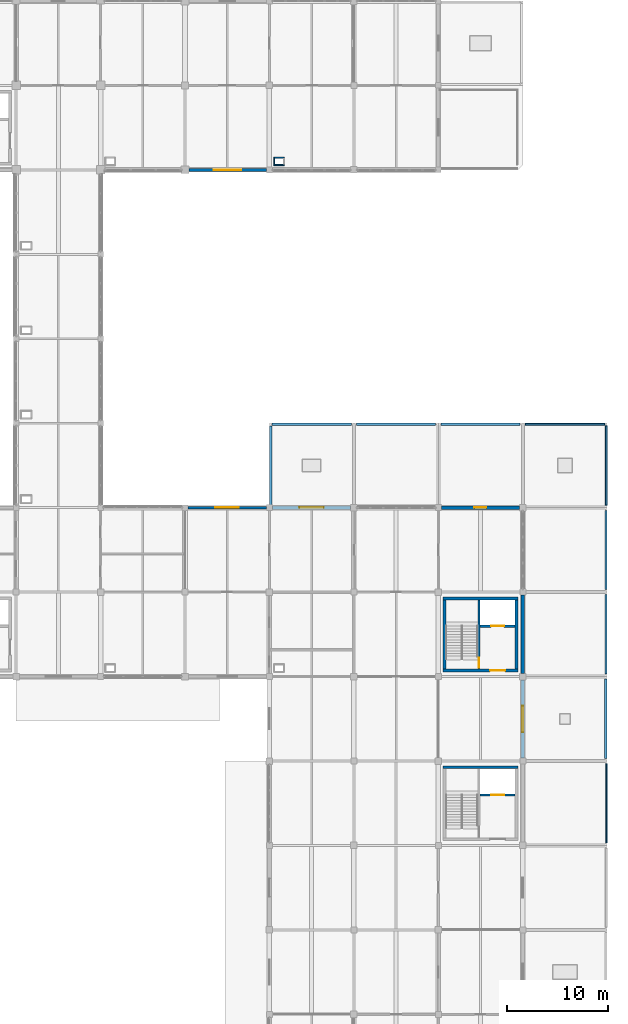
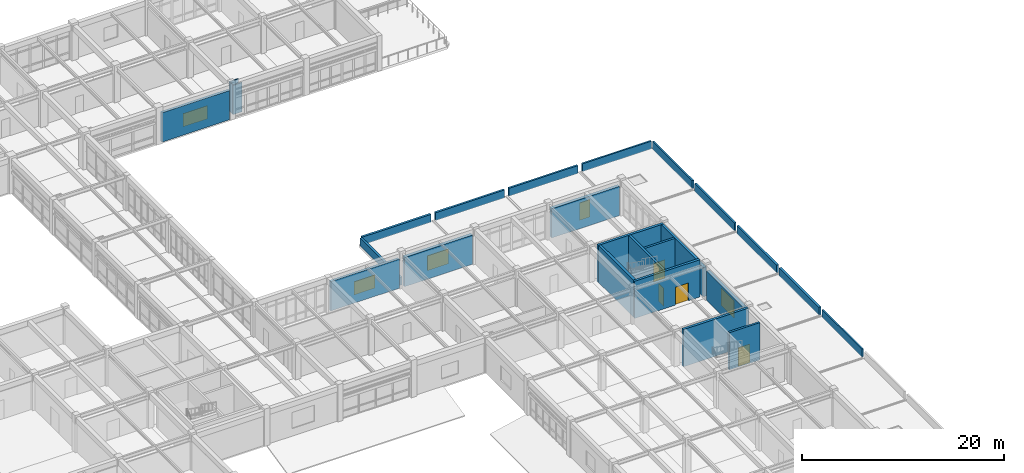
# One storey, part 72 of 78: 27 walls, 5 windows, 4 doors, 9 openings.
"""IFC4 building model written with IfcOpenShell, lengths in metres."""

from ifc_helpers import new_model, si_unit, direction, frame, frame_2d, origin, place, context, subcontext, project, spatial, rectangle, extrude, material, layer, layer_set, type_object, element, fill, save


model = new_model("IFC4")

# Units and contexts
model_context = context("Model", 3, precision=1e-05, world=origin(), true_north=direction((0.0, 1.0)))
body_context = subcontext(model_context, "Body", "Model", "MODEL_VIEW")
ifc_project = project(units=[si_unit("LENGTHUNIT", "METRE"), si_unit("AREAUNIT", "SQUARE_METRE"), si_unit("VOLUMEUNIT", "CUBIC_METRE"), si_unit("PLANEANGLEUNIT", "RADIAN"), si_unit("MASSUNIT", "GRAM", prefix="KILO")], contexts=[model_context])

# Site, building, storey
site_placement = place(None, origin())
site = spatial("IfcSite", under=ifc_project, at=site_placement, CompositionType="ELEMENT")
building_placement = place(site_placement, origin())
building = spatial("IfcBuilding", under=site, at=building_placement, Name="Porcellanite Civic Hall", CompositionType="ELEMENT")
storey_placement = place(building_placement, frame((0.0, 0.0, 10.260009765625)))
storey = spatial("IfcBuildingStorey", under=building, at=storey_placement, Name="L02", CompositionType="ELEMENT", Elevation=10.260009765625)

# Wall, opening, door
ifc_material_1 = material(Name="Concrete N40 (40 MPa)", Category="concrete")
ifc_layer_1 = layer(ifc_material_1, 0.239990234375)
ifc_layer_set_1 = layer_set([ifc_layer_1], Name="Concrete N40 (40 MPa)")
wall_type_1 = type_object("IfcWallType", Name="CW-SH240", PredefinedType="SHEAR", material=ifc_layer_set_1)
wall_1_placement = place(storey_placement, frame((163.760009765625, 38.6201171875, 0.0), z_axis=(0.0, 0.0, 1.0), x_axis=(1.0, 0.0, 0.0)))
wall_1 = element("IfcWall", 1, at=wall_1_placement, inside=storey, type_object=wall_type_1, Name="Lift shaft wall C7 L02", PredefinedType="SHEAR", context=body_context, shape_type="SweptSolid", body=[
    extrude(rectangle(XDim=3.47998046875, YDim=0.239990234375, at=frame_2d((1.739990234375, 0.0))), origin(), (0.0, 0.0, 1.0), 4.5),
])
opening_1_placement = place(wall_1_placement, frame((1.090087890625, 0.0, 0.0)))
opening_1 = element("IfcOpeningElement", 2, at=opening_1_placement, cuts=wall_1, Name="Opening LD-07", PredefinedType="OPENING", context=body_context, shape_type="SweptSolid", body=[
    extrude(rectangle(XDim=1.300048828125, YDim=2.25, at=frame_2d((0.64990234375, 1.125))), frame((0.0, 0.1201171875, 0.0), z_axis=(0.0, -1.0, 0.0), x_axis=(1.0, 0.0, 0.0)), (0.0, 0.0, 1.0), 0.239990234375),
])
ifc_material_2 = material(Name="Brushed stainless steel 316", Category="steel")
door_type_1 = type_object("IfcDoorType", Name="DR-LD130", OperationType="DOUBLE_DOOR_SLIDING", PredefinedType="DOOR", material=ifc_material_2)
door_1_placement = place(opening_1_placement, origin())
door_1 = element("IfcDoor", 3, at=door_1_placement, inside=storey, type_object=door_type_1, Name="Lift landing sliding door LD-07 L02", OperationType="DOUBLE_DOOR_SLIDING", OverallHeight=2.25, OverallWidth=1.300048828125, PredefinedType="DOOR", context=body_context, shape_type="SweptSolid", body=[
    extrude(rectangle(XDim=1.300048828125, YDim=2.25, at=frame_2d((0.64990234375, 1.125))), frame((0.0, 0.02490234375, 0.0), z_axis=(0.0, -1.0, 0.0), x_axis=(1.0, 0.0, 0.0)), (0.0, 0.0, 1.0), 0.050048828125),
])
fill(opening_1, door_1)

wall_2_placement = place(storey_placement, frame((163.639892578125, 51.159912109375, 0.0), z_axis=(0.0, 0.0, 1.0), x_axis=(0.0, 1.0, 0.0)))
wall_2 = element("IfcWall", 4, at=wall_2_placement, inside=storey, type_object=wall_type_1, Name="Core divider C8 L02", PredefinedType="SHEAR", context=body_context, shape_type="SweptSolid", body=[
    extrude(rectangle(XDim=6.880126953125, YDim=0.239990234375, at=frame_2d((3.43994140625, 0.0))), origin(), (0.0, 0.0, 1.0), 4.5),
])
opening_2_placement = place(wall_2_placement, frame((0.1201171875, 0.0, 0.0)))
opening_2 = element("IfcOpeningElement", 5, at=opening_2_placement, cuts=wall_2, Name="Opening FD-C8-L02-ST", PredefinedType="OPENING", context=body_context, shape_type="SweptSolid", body=[
    extrude(rectangle(XDim=1.0, YDim=2.14990234375, at=frame_2d((0.5, 1.074951171875))), frame((0.0, 0.1201171875, 0.0), z_axis=(0.0, -1.0, 0.0), x_axis=(1.0, 0.0, 0.0)), (0.0, 0.0, 1.0), 0.239990234375),
])
ifc_material_3 = material(Name="Fire-rated solid-core hardwood timber", Category="wood")
door_type_2 = type_object("IfcDoorType", Name="DR-FD100", OperationType="NOTDEFINED", PredefinedType="DOOR", material=ifc_material_3)
door_2_placement = place(opening_2_placement, origin())
door_2 = element("IfcDoor", 6, at=door_2_placement, inside=storey, type_object=door_type_2, Name="Fire stair door FD-C8-L02-ST", OperationType="SINGLE_SWING_LEFT", OverallHeight=2.14990234375, OverallWidth=1.0, PredefinedType="DOOR", context=body_context, shape_type="SweptSolid", body=[
    extrude(rectangle(XDim=1.0, YDim=2.14990234375, at=frame_2d((0.5, 1.074951171875))), frame((0.0, 0.02490234375, 0.0), z_axis=(0.0, -1.0, 0.0), x_axis=(1.0, 0.0, 0.0)), (0.0, 0.0, 1.0), 0.050048828125),
])
fill(opening_2, door_2)

wall_3_placement = place(storey_placement, frame((163.760009765625, 55.419921875, 0.0), z_axis=(0.0, 0.0, 1.0), x_axis=(1.0, 0.0, 0.0)))
wall_3 = element("IfcWall", 7, at=wall_3_placement, inside=storey, type_object=wall_type_1, Name="Lift shaft wall C8 L02", PredefinedType="SHEAR", context=body_context, shape_type="SweptSolid", body=[
    extrude(rectangle(XDim=3.47998046875, YDim=0.239990234375, at=frame_2d((1.739990234375, 0.0))), origin(), (0.0, 0.0, 1.0), 4.5),
])
opening_3_placement = place(wall_3_placement, frame((1.090087890625, 0.0, 0.0)))
opening_3 = element("IfcOpeningElement", 8, at=opening_3_placement, cuts=wall_3, Name="Opening LD-08", PredefinedType="OPENING", context=body_context, shape_type="SweptSolid", body=[
    extrude(rectangle(XDim=1.300048828125, YDim=2.25, at=frame_2d((0.64990234375, 1.125))), frame((0.0, 0.1201171875, 0.0), z_axis=(0.0, -1.0, 0.0), x_axis=(1.0, 0.0, 0.0)), (0.0, 0.0, 1.0), 0.239990234375),
])
door_3_placement = place(opening_3_placement, origin())
door_3 = element("IfcDoor", 9, at=door_3_placement, inside=storey, type_object=door_type_1, Name="Lift landing sliding door LD-08 L02", OperationType="DOUBLE_DOOR_SLIDING", OverallHeight=2.25, OverallWidth=1.300048828125, PredefinedType="DOOR", context=body_context, shape_type="SweptSolid", body=[
    extrude(rectangle(XDim=1.300048828125, YDim=2.25, at=frame_2d((0.64990234375, 1.125))), frame((0.0, 0.02490234375, 0.0), z_axis=(0.0, -1.0, 0.0), x_axis=(1.0, 0.0, 0.0)), (0.0, 0.0, 1.0), 0.050048828125),
])
fill(opening_3, door_3)

# Wall
ifc_material_4 = material(Name="Concrete N40 (40 MPa)", Category="concrete")
ifc_layer_2 = layer(ifc_material_4, 0.280029296875)
ifc_layer_set_2 = layer_set([ifc_layer_2], Name="Concrete N40 (40 MPa)")
wall_type_2 = type_object("IfcWallType", Name="CW-SH280", PredefinedType="SHEAR", material=ifc_layer_set_2)
wall_4_placement = place(storey_placement, frame((160.080078125, 41.3798828125, 0.0), z_axis=(0.0, 0.0, 1.0), x_axis=(1.0, 0.0, 0.0)))
element("IfcWall", 10, at=wall_4_placement, inside=storey, type_object=wall_type_2, Name="Core wall C7 L02 N", PredefinedType="SHEAR", context=body_context, shape_type="SweptSolid", body=[
    extrude(rectangle(XDim=7.43994140625, YDim=0.280029296875, at=frame_2d((3.719970703125, 0.0))), origin(), (0.0, 0.0, 1.0), 4.5),
])

# Wall, opening, door
wall_5_placement = place(storey_placement, frame((167.52001953125, 51.02001953125, 0.0), z_axis=(0.0, 0.0, 1.0), x_axis=(-1.0, 0.0, 0.0)))
wall_5 = element("IfcWall", 11, at=wall_5_placement, inside=storey, type_object=wall_type_2, Name="Core wall C8 L02 S", PredefinedType="SHEAR", context=body_context, shape_type="SweptSolid", body=[
    extrude(rectangle(XDim=7.43994140625, YDim=0.280029296875, at=frame_2d((3.719970703125, 0.0))), origin(), (0.0, 0.0, 1.0), 4.5),
])
opening_4_placement = place(wall_5_placement, frame((1.280029296875, 0.0, 0.0)))
opening_4 = element("IfcOpeningElement", 12, at=opening_4_placement, cuts=wall_5, Name="Opening FD-C8-L02-LB", PredefinedType="OPENING", context=body_context, shape_type="SweptSolid", body=[
    extrude(rectangle(XDim=1.5, YDim=2.14990234375, at=frame_2d((0.75, 1.074951171875))), frame((0.0, 0.14013671875, 0.0), z_axis=(0.0, -1.0, 0.0), x_axis=(1.0, 0.0, 0.0)), (0.0, 0.0, 1.0), 0.280029296875),
])
ifc_material_5 = material(Name="Fire-rated steel and Georgian wired glass", Category="steel")
door_type_3 = type_object("IfcDoorType", Name="DR-FD150", OperationType="DOUBLE_DOOR_SINGLE_SWING", PredefinedType="DOOR", material=ifc_material_5)
door_4_placement = place(opening_4_placement, origin())
door_4 = element("IfcDoor", 13, at=door_4_placement, inside=storey, type_object=door_type_3, Name="Fire lobby double door FD-C8-L02-LB", OperationType="DOUBLE_DOOR_SINGLE_SWING", OverallHeight=2.14990234375, OverallWidth=1.5, PredefinedType="DOOR", context=body_context, shape_type="SweptSolid", body=[
    extrude(rectangle(XDim=1.5, YDim=2.14990234375, at=frame_2d((0.75, 1.074951171875))), frame((0.0, 0.02490234375, 0.0), z_axis=(0.0, -1.0, 0.0), x_axis=(1.0, 0.0, 0.0)), (0.0, 0.0, 1.0), 0.050048828125),
])
fill(opening_4, door_4)

# Walls
wall_6_placement = place(storey_placement, frame((160.219970703125, 51.159912109375, 0.0), z_axis=(0.0, 0.0, 1.0), x_axis=(0.0, 1.0, 0.0)))
element("IfcWall", 14, at=wall_6_placement, inside=storey, type_object=wall_type_2, Name="Core wall C8 L02 W", PredefinedType="SHEAR", context=body_context, shape_type="SweptSolid", body=[
    extrude(rectangle(XDim=6.880126953125, YDim=0.280029296875, at=frame_2d((3.43994140625, 0.0))), origin(), (0.0, 0.0, 1.0), 4.5),
])
wall_7_placement = place(storey_placement, frame((160.080078125, 58.179931640625, 0.0), z_axis=(0.0, 0.0, 1.0), x_axis=(1.0, 0.0, 0.0)))
element("IfcWall", 15, at=wall_7_placement, inside=storey, type_object=wall_type_2, Name="Core wall C8 L02 N", PredefinedType="SHEAR", context=body_context, shape_type="SweptSolid", body=[
    extrude(rectangle(XDim=7.43994140625, YDim=0.280029296875, at=frame_2d((3.719970703125, 0.0))), origin(), (0.0, 0.0, 1.0), 4.5),
])
wall_8_placement = place(storey_placement, frame((167.3798828125, 58.0400390625, 0.0), z_axis=(0.0, 0.0, 1.0), x_axis=(0.0, -1.0, 0.0)))
element("IfcWall", 16, at=wall_8_placement, inside=storey, type_object=wall_type_2, Name="Core wall C8 L02 E", PredefinedType="SHEAR", context=body_context, shape_type="SweptSolid", body=[
    extrude(rectangle(XDim=6.880126953125, YDim=0.280029296875, at=frame_2d((3.43994140625, 0.0))), origin(), (0.0, 0.0, 1.0), 4.5),
])

# Wall, opening, window
ifc_material_6 = material(Name="Precast concrete N40 (40 MPa)", Category="concrete")
ifc_layer_3 = layer(ifc_material_6, 0.300048828125)
ifc_layer_set_3 = layer_set([ifc_layer_3], Name="Precast concrete N40 (40 MPa)")
wall_type_3 = type_object("IfcWallType", Name="EW-ADM300", PredefinedType="SOLIDWALL", material=ifc_layer_set_3)
wall_9_placement = place(storey_placement, frame((142.4990234375, 100.800048828125, 0.0), z_axis=(0.0, 0.0, 1.0), x_axis=(-1.0, 0.0, 0.0)))
wall_9 = element("IfcWall", 17, at=wall_9_placement, inside=storey, type_object=wall_type_3, Name="Exterior wall L02 S 17-13", PredefinedType="SOLIDWALL", context=body_context, shape_type="SweptSolid", body=[
    extrude(rectangle(XDim=7.72314453125, YDim=0.300048828125, at=frame_2d((3.861572265625, 0.0))), origin(), (0.0, 0.0, 1.0), 3.5400390625),
])
opening_5_placement = place(wall_9_placement, frame((2.486083984375, 0.0, 0.89990234375)))
opening_5 = element("IfcOpeningElement", 18, at=opening_5_placement, cuts=wall_9, Name="Opening W37", PredefinedType="OPENING", context=body_context, shape_type="SweptSolid", body=[
    extrude(rectangle(XDim=2.75, YDim=1.60009765625, at=frame_2d((1.375, 0.800048828125))), frame((0.0, 0.14990234375, 0.0), z_axis=(0.0, -1.0, 0.0), x_axis=(1.0, 0.0, 0.0)), (0.0, 0.0, 1.0), 0.300048828125),
])
ifc_material_7 = material(Name="Cyclone laminated low-E glazing in anodised aluminium frame", Category="aluminium")
window_type_1 = type_object("IfcWindowType", Name="WN-37", PartitioningType="TRIPLE_PANEL_VERTICAL", PredefinedType="WINDOW", material=ifc_material_7)
window_1_placement = place(opening_5_placement, origin())
window_1 = element("IfcWindow", 19, at=window_1_placement, inside=storey, type_object=window_type_1, Name="Window W37 L02 S 17-13", OverallHeight=1.60009765625, OverallWidth=2.75, PartitioningType="SINGLE_PANEL", PredefinedType="WINDOW", context=body_context, shape_type="SweptSolid", body=[
    extrude(rectangle(XDim=2.75, YDim=1.60009765625, at=frame_2d((1.375, 0.800048828125))), frame((0.0, 0.030029296875, 0.0), z_axis=(0.0, -1.0, 0.0), x_axis=(1.0, 0.0, 0.0)), (0.0, 0.0, 1.0), 0.06005859375),
])
fill(opening_5, window_1)

ifc_material_8 = material(Name="Precast concrete N40 (40 MPa)", Category="concrete")
ifc_layer_4 = layer(ifc_material_8, 0.280029296875)
ifc_layer_set_4 = layer_set([ifc_layer_4], Name="Precast concrete N40 (40 MPa)")
wall_type_4 = type_object("IfcWallType", Name="EW-CLO280", PredefinedType="SOLIDWALL", material=ifc_layer_set_4)
wall_10_placement = place(storey_placement, frame((134.676025390625, 67.199951171875, 0.0), z_axis=(0.0, 0.0, 1.0), x_axis=(1.0, 0.0, 0.0)))
wall_10 = element("IfcWall", 20, at=wall_10_placement, inside=storey, type_object=wall_type_4, Name="Exterior wall L02 N 17-8", PredefinedType="SOLIDWALL", context=body_context, shape_type="SweptSolid", body=[
    extrude(rectangle(XDim=7.822998046875, YDim=0.280029296875, at=frame_2d((3.91162109375, 0.0))), origin(), (0.0, 0.0, 1.0), 3.5400390625),
])
opening_6_placement = place(wall_10_placement, frame((2.737060546875, 0.0, 0.89990234375)))
opening_6 = element("IfcOpeningElement", 21, at=opening_6_placement, cuts=wall_10, Name="Opening W36", PredefinedType="OPENING", context=body_context, shape_type="SweptSolid", body=[
    extrude(rectangle(XDim=2.35009765625, YDim=1.60009765625, at=frame_2d((1.175048828125, 0.800048828125))), frame((0.0, 0.14013671875, 0.0), z_axis=(0.0, -1.0, 0.0), x_axis=(1.0, 0.0, 0.0)), (0.0, 0.0, 1.0), 0.280029296875),
])
ifc_material_9 = material(Name="Cyclone laminated low-E glazing in anodised aluminium frame", Category="aluminium")
window_type_2 = type_object("IfcWindowType", Name="WN-36", PartitioningType="DOUBLE_PANEL_VERTICAL", PredefinedType="WINDOW", material=ifc_material_9)
window_2_placement = place(opening_6_placement, origin())
window_2 = element("IfcWindow", 22, at=window_2_placement, inside=storey, type_object=window_type_2, Name="Window W36 L02 N 17-8", OverallHeight=1.60009765625, OverallWidth=2.35009765625, PartitioningType="SINGLE_PANEL", PredefinedType="WINDOW", context=body_context, shape_type="SweptSolid", body=[
    extrude(rectangle(XDim=2.35009765625, YDim=1.60009765625, at=frame_2d((1.175048828125, 0.800048828125))), frame((0.0, 0.030029296875, 0.0), z_axis=(0.0, -1.0, 0.0), x_axis=(1.0, 0.0, 0.0)), (0.0, 0.0, 1.0), 0.06005859375),
])
fill(opening_6, window_2)

ifc_material_10 = material(Name="Precast concrete N40 (40 MPa)", Category="concrete")
ifc_layer_5 = layer(ifc_material_10, 0.360107421875)
ifc_layer_set_5 = layer_set([ifc_layer_5], Name="Precast concrete N40 (40 MPa)")
wall_type_5 = type_object("IfcWallType", Name="EW-LIB360", PredefinedType="SOLIDWALL", material=ifc_layer_set_5)
wall_11_placement = place(storey_placement, frame((143.10107421875, 67.199951171875, 0.0), z_axis=(0.0, 0.0, 1.0), x_axis=(1.0, 0.0, 0.0)))
wall_11 = element("IfcWall", 23, at=wall_11_placement, inside=storey, type_object=wall_type_5, Name="Exterior wall L02 N 18-8", PredefinedType="SOLIDWALL", context=body_context, shape_type="SweptSolid", body=[
    extrude(rectangle(XDim=7.77294921875, YDim=0.360107421875, at=frame_2d((3.886474609375, 0.0))), origin(), (0.0, 0.0, 1.0), 3.5400390625),
])
opening_7_placement = place(wall_11_placement, frame((2.68603515625, 0.0, 0.89990234375)))
opening_7 = element("IfcOpeningElement", 24, at=opening_7_placement, cuts=wall_11, Name="Opening W03", PredefinedType="OPENING", context=body_context, shape_type="SweptSolid", body=[
    extrude(rectangle(XDim=2.39990234375, YDim=1.800048828125, at=frame_2d((1.199951171875, 0.89990234375))), frame((0.0, 0.18017578125, 0.0), z_axis=(0.0, -1.0, 0.0), x_axis=(1.0, 0.0, 0.0)), (0.0, 0.0, 1.0), 0.360107421875),
])
ifc_material_11 = material(Name="Cyclone laminated low-E glazing in anodised aluminium frame", Category="aluminium")
window_type_3 = type_object("IfcWindowType", Name="WN-03", PartitioningType="TRIPLE_PANEL_VERTICAL", PredefinedType="WINDOW", material=ifc_material_11)
window_3_placement = place(opening_7_placement, origin())
window_3 = element("IfcWindow", 25, at=window_3_placement, inside=storey, type_object=window_type_3, Name="Window W03 L02 N 18-8", OverallHeight=1.800048828125, OverallWidth=2.39990234375, PartitioningType="SINGLE_PANEL", PredefinedType="WINDOW", context=body_context, shape_type="SweptSolid", body=[
    extrude(rectangle(XDim=2.39990234375, YDim=1.800048828125, at=frame_2d((1.199951171875, 0.89990234375))), frame((0.0, 0.030029296875, 0.0), z_axis=(0.0, -1.0, 0.0), x_axis=(1.0, 0.0, 0.0)), (0.0, 0.0, 1.0), 0.06005859375),
])
fill(opening_7, window_3)

wall_12_placement = place(storey_placement, frame((168.0, 50.073974609375, 0.0), z_axis=(0.0, 0.0, 1.0), x_axis=(0.0, -1.0, 0.0)))
wall_12 = element("IfcWall", 26, at=wall_12_placement, inside=storey, type_object=wall_type_5, Name="Exterior wall L02 E 20-6", PredefinedType="SOLIDWALL", context=body_context, shape_type="SweptSolid", body=[
    extrude(rectangle(XDim=7.77294921875, YDim=0.360107421875, at=frame_2d((3.886474609375, 0.0))), origin(), (0.0, 0.0, 1.0), 3.5400390625),
])
opening_8_placement = place(wall_12_placement, frame((2.5869140625, 0.0, 0.89990234375)))
opening_8 = element("IfcOpeningElement", 27, at=opening_8_placement, cuts=wall_12, Name="Opening W07", PredefinedType="OPENING", context=body_context, shape_type="SweptSolid", body=[
    extrude(rectangle(XDim=2.60009765625, YDim=2.10009765625, at=frame_2d((1.300048828125, 1.050048828125))), frame((0.0, 0.18017578125, 0.0), z_axis=(0.0, -1.0, 0.0), x_axis=(1.0, 0.0, 0.0)), (0.0, 0.0, 1.0), 0.360107421875),
])
ifc_material_12 = material(Name="Cyclone laminated low-E glazing in anodised aluminium frame", Category="aluminium")
window_type_4 = type_object("IfcWindowType", Name="WN-07", PartitioningType="TRIPLE_PANEL_VERTICAL", PredefinedType="WINDOW", material=ifc_material_12)
window_4_placement = place(opening_8_placement, origin())
window_4 = element("IfcWindow", 28, at=window_4_placement, inside=storey, type_object=window_type_4, Name="Window W07 L02 E 20-6", OverallHeight=2.10009765625, OverallWidth=2.60009765625, PartitioningType="SINGLE_PANEL", PredefinedType="WINDOW", context=body_context, shape_type="SweptSolid", body=[
    extrude(rectangle(XDim=2.60009765625, YDim=2.10009765625, at=frame_2d((1.300048828125, 1.050048828125))), frame((0.0, 0.030029296875, 0.0), z_axis=(0.0, -1.0, 0.0), x_axis=(1.0, 0.0, 0.0)), (0.0, 0.0, 1.0), 0.06005859375),
])
fill(opening_8, window_4)

# Wall
wall_13_placement = place(storey_placement, frame((168.0, 58.4990234375, 0.0), z_axis=(0.0, 0.0, 1.0), x_axis=(0.0, -1.0, 0.0)))
element("IfcWall", 29, at=wall_13_placement, inside=storey, type_object=wall_type_5, Name="Exterior wall L02 E 20-7", PredefinedType="SOLIDWALL", context=body_context, shape_type="SweptSolid", body=[
    extrude(rectangle(XDim=7.77294921875, YDim=0.360107421875, at=frame_2d((3.886474609375, 0.0))), origin(), (0.0, 0.0, 1.0), 3.5400390625),
])

# Wall, opening, window
wall_14_placement = place(storey_placement, frame((159.90087890625, 67.199951171875, 0.0), z_axis=(0.0, 0.0, 1.0), x_axis=(1.0, 0.0, 0.0)))
wall_14 = element("IfcWall", 30, at=wall_14_placement, inside=storey, type_object=wall_type_5, Name="Exterior wall L02 N 20-8", PredefinedType="SOLIDWALL", context=body_context, shape_type="SweptSolid", body=[
    extrude(rectangle(XDim=7.773193359375, YDim=0.360107421875, at=frame_2d((3.88671875, 0.0))), origin(), (0.0, 0.0, 1.0), 3.5400390625),
])
opening_9_placement = place(wall_14_placement, frame((3.285888671875, 0.0, 0.89990234375)))
opening_9 = element("IfcOpeningElement", 31, at=opening_9_placement, cuts=wall_14, Name="Opening W08", PredefinedType="OPENING", context=body_context, shape_type="SweptSolid", body=[
    extrude(rectangle(XDim=1.199951171875, YDim=2.10009765625, at=frame_2d((0.60009765625, 1.050048828125))), frame((0.0, 0.18017578125, 0.0), z_axis=(0.0, -1.0, 0.0), x_axis=(1.0, 0.0, 0.0)), (0.0, 0.0, 1.0), 0.360107421875),
])
ifc_material_13 = material(Name="Cyclone laminated low-E glazing in anodised aluminium frame", Category="aluminium")
window_type_5 = type_object("IfcWindowType", Name="WN-08", PartitioningType="SINGLE_PANEL", PredefinedType="WINDOW", material=ifc_material_13)
window_5_placement = place(opening_9_placement, origin())
window_5 = element("IfcWindow", 32, at=window_5_placement, inside=storey, type_object=window_type_5, Name="Window W08 L02 N 20-8", OverallHeight=2.10009765625, OverallWidth=1.199951171875, PartitioningType="SINGLE_PANEL", PredefinedType="WINDOW", context=body_context, shape_type="SweptSolid", body=[
    extrude(rectangle(XDim=1.199951171875, YDim=2.10009765625, at=frame_2d((0.60009765625, 1.050048828125))), frame((0.0, 0.030029296875, 0.0), z_axis=(0.0, -1.0, 0.0), x_axis=(1.0, 0.0, 0.0)), (0.0, 0.0, 1.0), 0.06005859375),
])
fill(opening_9, window_5)

# Walls
ifc_material_14 = material(Name="Fire-rated shaftwall plasterboard on steel studs", Category="steel")
ifc_layer_6 = layer(ifc_material_14, 0.117919921875)
ifc_layer_set_6 = layer_set([ifc_layer_6], Name="Fire-rated shaftwall plasterboard on steel studs")
wall_type_6 = type_object("IfcWallType", Name="IW-FR118", PredefinedType="PARTITIONING", material=ifc_layer_set_6)
for number, where, z_axis, x_axis, name in (
    (33, (143.23193359375, 101.291015625, 0.0), (0.0, 0.0, 1.0), (1.0, 0.0, 0.0), "Fire riser shaftwall S L02 17-12"),
    (34, (143.23193359375, 102.009033203125, 0.0), (0.0, 0.0, 1.0), (1.0, 0.0, 0.0), "Fire riser shaftwall N L02 17-12"),
):
    element("IfcWall", number, at=place(storey_placement, frame(where, z_axis=z_axis, x_axis=x_axis)), inside=storey, type_object=wall_type_6, Name=name, PredefinedType="PARTITIONING", context=body_context, shape_type="SweptSolid", body=[
        extrude(rectangle(XDim=1.0361328125, YDim=0.117919921875, at=frame_2d((0.51806640625, 0.0))), origin(), (0.0, 0.0, 1.0), 3.530029296875),
    ])
wall_15_placement = place(storey_placement, frame((143.291015625, 101.35009765625, 0.0), z_axis=(0.0, 0.0, 1.0), x_axis=(0.0, 1.0, 0.0)))
element("IfcWall", 35, at=wall_15_placement, inside=storey, type_object=wall_type_6, Name="Fire riser shaftwall W L02 17-12", PredefinedType="PARTITIONING", context=body_context, shape_type="SweptSolid", body=[
    extrude(rectangle(XDim=0.599853515625, YDim=0.117919921875, at=frame_2d((0.2998046875, 0.0))), origin(), (0.0, 0.0, 1.0), 3.530029296875),
])
ifc_material_15 = material(Name="Precast concrete N40 (40 MPa)", Category="concrete")
ifc_layer_7 = layer(ifc_material_15, 0.25)
ifc_layer_set_7 = layer_set([ifc_layer_7], Name="Precast concrete N40 (40 MPa)")
wall_type_7 = type_object("IfcWallType", Name="WP-PAR1", PredefinedType="PARAPET", material=ifc_layer_set_7)
wall_16_placement = place(storey_placement, frame((142.925048828125, 67.4599609375, 0.0), z_axis=(0.0, 0.0, 1.0), x_axis=(0.0, 1.0, 0.0)))
element("IfcWall", 36, at=wall_16_placement, inside=storey, type_object=wall_type_7, Name="Roof parapet L02 W 18-9", PredefinedType="PARAPET", context=body_context, shape_type="SweptSolid", body=[
    extrude(rectangle(XDim=7.880126953125, YDim=0.25, at=frame_2d((3.93994140625, 0.0))), origin(), (0.0, 0.0, 1.0), 0.949951171875),
])
for number, where, z_axis, x_axis, name in (
    (37, (143.06005859375, 75.47509765625, 0.0), (0.0, 0.0, 1.0), (1.0, 0.0, 0.0), "Roof parapet L02 N 18-9"),
    (38, (176.27490234375, 50.139892578125, 0.0), (0.0, 0.0, 1.0), (0.0, -1.0, 0.0), "Roof parapet L02 E 21-6"),
):
    element("IfcWall", number, at=place(storey_placement, frame(where, z_axis=z_axis, x_axis=x_axis)), inside=storey, type_object=wall_type_7, Name=name, PredefinedType="PARAPET", context=body_context, shape_type="SweptSolid", body=[
        extrude(rectangle(XDim=7.8798828125, YDim=0.25, at=frame_2d((3.93994140625, 0.0))), origin(), (0.0, 0.0, 1.0), 0.949951171875),
    ])
ifc_material_16 = material(Name="Precast concrete N40 (40 MPa)", Category="concrete")
ifc_layer_8 = layer(ifc_material_16, 0.22998046875)
ifc_layer_set_8 = layer_set([ifc_layer_8], Name="Precast concrete N40 (40 MPa)")
wall_type_8 = type_object("IfcWallType", Name="WP-PAR2", PredefinedType="PARAPET", material=ifc_layer_set_8)
for number, where, z_axis, x_axis, name in (
    (39, (151.4599609375, 75.485107421875, 0.0), (0.0, 0.0, 1.0), (1.0, 0.0, 0.0), "Roof parapet L02 N 19-9"),
    (40, (176.284912109375, 58.5400390625, 0.0), (0.0, 0.0, 1.0), (0.0, -1.0, 0.0), "Roof parapet L02 E 21-7"),
):
    element("IfcWall", number, at=place(storey_placement, frame(where, z_axis=z_axis, x_axis=x_axis)), inside=storey, type_object=wall_type_8, Name=name, PredefinedType="PARAPET", context=body_context, shape_type="SweptSolid", body=[
        extrude(rectangle(XDim=7.880126953125, YDim=0.22998046875, at=frame_2d((3.93994140625, 0.0))), origin(), (0.0, 0.0, 1.0), 0.949951171875),
    ])
ifc_material_17 = material(Name="Precast concrete N40 (40 MPa)", Category="concrete")
ifc_layer_9 = layer(ifc_material_17, 0.2099609375)
ifc_layer_set_9 = layer_set([ifc_layer_9], Name="Precast concrete N40 (40 MPa)")
wall_type_9 = type_object("IfcWallType", Name="WP-PAR3", PredefinedType="PARAPET", material=ifc_layer_set_9)
for number, where, z_axis, x_axis, name in (
    (41, (159.860107421875, 75.4951171875, 0.0), (0.0, 0.0, 1.0), (1.0, 0.0, 0.0), "Roof parapet L02 N 20-9"),
    (42, (176.294921875, 66.93994140625, 0.0), (0.0, 0.0, 1.0), (0.0, -1.0, 0.0), "Roof parapet L02 E 21-8"),
):
    element("IfcWall", number, at=place(storey_placement, frame(where, z_axis=z_axis, x_axis=x_axis)), inside=storey, type_object=wall_type_9, Name=name, PredefinedType="PARAPET", context=body_context, shape_type="SweptSolid", body=[
        extrude(rectangle(XDim=7.8798828125, YDim=0.2099609375, at=frame_2d((3.93994140625, 0.0))), origin(), (0.0, 0.0, 1.0), 0.949951171875),
    ])
ifc_material_18 = material(Name="Precast concrete N40 (40 MPa)", Category="concrete")
ifc_layer_10 = layer(ifc_material_18, 0.18994140625)
ifc_layer_set_10 = layer_set([ifc_layer_10], Name="Precast concrete N40 (40 MPa)")
wall_type_10 = type_object("IfcWallType", Name="WP-PAR4", PredefinedType="PARAPET", material=ifc_layer_set_10)
wall_17_placement = place(storey_placement, frame((168.260009765625, 75.5048828125, 0.0), z_axis=(0.0, 0.0, 1.0), x_axis=(1.0, 0.0, 0.0)))
element("IfcWall", 43, at=wall_17_placement, inside=storey, type_object=wall_type_10, Name="Roof parapet L02 N 21-9", PredefinedType="PARAPET", context=body_context, shape_type="SweptSolid", body=[
    extrude(rectangle(XDim=7.8798828125, YDim=0.18994140625, at=frame_2d((3.93994140625, 0.0))), origin(), (0.0, 0.0, 1.0), 0.949951171875),
])
wall_18_placement = place(storey_placement, frame((176.304931640625, 75.340087890625, 0.0), z_axis=(0.0, 0.0, 1.0), x_axis=(0.0, -1.0, 0.0)))
element("IfcWall", 44, at=wall_18_placement, inside=storey, type_object=wall_type_10, Name="Roof parapet L02 E 21-9", PredefinedType="PARAPET", context=body_context, shape_type="SweptSolid", body=[
    extrude(rectangle(XDim=7.880126953125, YDim=0.18994140625, at=frame_2d((3.93994140625, 0.0))), origin(), (0.0, 0.0, 1.0), 0.949951171875),
])
ifc_material_19 = material(Name="Precast concrete N40 (40 MPa)", Category="concrete")
ifc_layer_11 = layer(ifc_material_19, 0.169921875)
ifc_layer_set_11 = layer_set([ifc_layer_11], Name="Precast concrete N40 (40 MPa)")
wall_type_11 = type_object("IfcWallType", Name="WP-PAR5", PredefinedType="PARAPET", material=ifc_layer_set_11)
wall_19_placement = place(storey_placement, frame((176.31494140625, 41.739990234375, 0.0), z_axis=(0.0, 0.0, 1.0), x_axis=(0.0, -1.0, 0.0)))
element("IfcWall", 45, at=wall_19_placement, inside=storey, type_object=wall_type_11, Name="Roof parapet L02 E 21-5", PredefinedType="PARAPET", context=body_context, shape_type="SweptSolid", body=[
    extrude(rectangle(XDim=7.8798828125, YDim=0.169921875, at=frame_2d((3.93994140625, 0.0))), origin(), (0.0, 0.0, 1.0), 0.949951171875),
])

save(model, "model.ifc")
